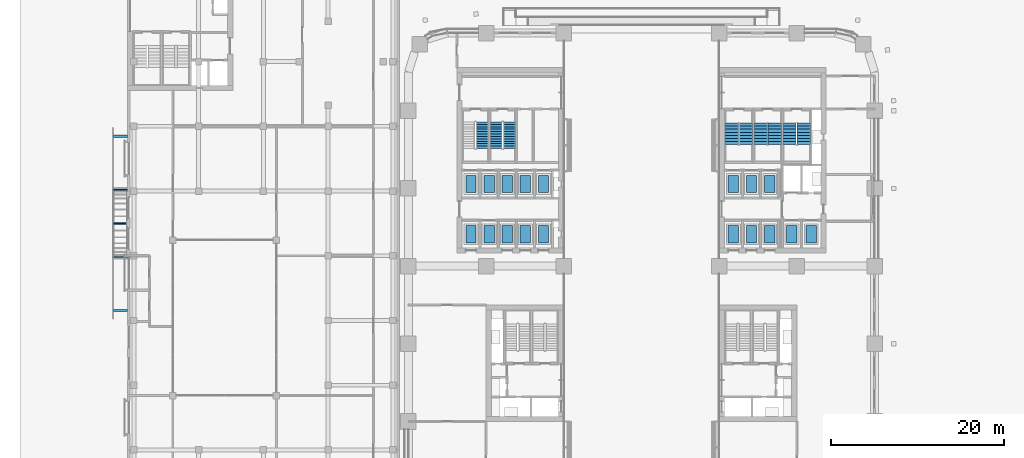
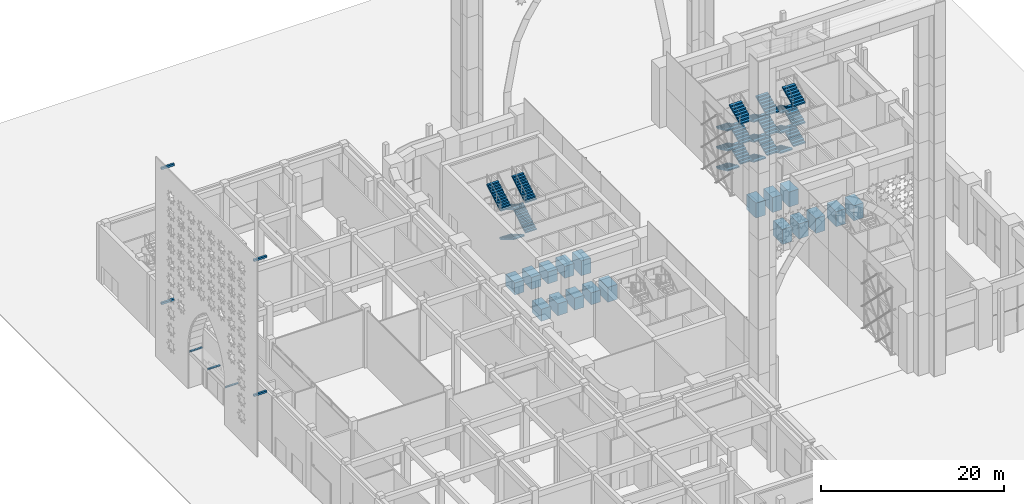
# One storey, part 40 of 64: 25 discrete accessories, 23 stair flights, 5 elements without a shape of their own.
"""IFC4 building model written with IfcOpenShell, lengths in metres."""

from ifc_helpers import new_model, si_unit, direction, frame, origin, origin_2d, place, context, subcontext, project, spatial, polyline, rectangle, outline, extrude, material, type_object, element, aggregate, save


model = new_model("IFC4")

# Units and contexts
model_context = context("Model", 3, precision=1e-05, world=origin(), true_north=direction((0.0, 1.0)))
body_context = subcontext(model_context, "Body", "Model", "MODEL_VIEW")
ifc_project = project(units=[si_unit("LENGTHUNIT", "METRE"), si_unit("AREAUNIT", "SQUARE_METRE"), si_unit("VOLUMEUNIT", "CUBIC_METRE"), si_unit("PLANEANGLEUNIT", "RADIAN"), si_unit("MASSUNIT", "GRAM", prefix="KILO")], contexts=[model_context])

# Site, building, storey
site_placement = place(None, origin())
site = spatial("IfcSite", under=ifc_project, at=site_placement, CompositionType="ELEMENT")
building_placement = place(site_placement, origin())
building = spatial("IfcBuilding", under=site, at=building_placement, Name="Tessera Arch", CompositionType="ELEMENT")
storey_placement = place(building_placement, origin())
storey = spatial("IfcBuildingStorey", under=building, at=storey_placement, Name="L00", CompositionType="ELEMENT", Elevation=0.0)

# Stair, stair flight
ifc_material_1 = material(Name="Concrete C40/50", Category="concrete")
stair_type_1 = type_object("IfcStairType", Name="Dogleg stair 1400", PredefinedType="HALF_TURN_STAIR", material=ifc_material_1)
stair_1_placement = place(storey_placement, origin())
stair_1 = element("IfcStair", 1, at=stair_1_placement, inside=storey, type_object=stair_type_1, Name="L00 S2a", PredefinedType="HALF_TURN_STAIR")
ifc_material_2 = material(Name="Concrete C40/50", Category="concrete")
stair_flight_type_1 = type_object("IfcStairFlightType", Name="Stair flight 1400", PredefinedType="STRAIGHT", material=ifc_material_2)
stair_flight_1_placement = place(storey_placement, frame((8.550048828125, 40.6201171875, 6.0), z_axis=(0.0, 0.0, 1.0), x_axis=(0.0, 1.0, 0.0)))
stair_flight_1 = element("IfcStairFlight", 2, at=stair_flight_1_placement, type_object=stair_flight_type_1, Name="S2a flight 4", NumberOfRisers=12, NumberOfTreads=11, PredefinedType="STRAIGHT", RiserHeight=0.166666667, TreadLength=0.28, context=body_context, shape_type="SweptSolid", body=[
    extrude(outline(polyline([(0.0, 0.0), (0.0, 0.166748046875), (0.280029296875, 0.166748046875), (0.280029296875, 0.333251953125), (0.56005859375, 0.333251953125), (0.56005859375, 0.5), (0.840087890625, 0.5), (0.840087890625, 0.666748046875), (1.1201171875, 0.666748046875), (1.1201171875, 0.833251953125), (1.39990234375, 0.833251953125), (1.39990234375, 1.0), (1.679931640625, 1.0), (1.679931640625, 1.166748046875), (1.9599609375, 1.166748046875), (1.9599609375, 1.333251953125), (2.239990234375, 1.333251953125), (2.239990234375, 1.5), (2.52001953125, 1.5), (2.52001953125, 1.666748046875), (2.800048828125, 1.666748046875), (2.800048828125, 1.833251953125), (3.080078125, 1.833251953125), (3.080078125, 2.0), (3.080078125, 1.658935546875), (0.29296875, 0.0), (0.0, 0.0)])), frame((0.0, 0.699951171875, 0.0), z_axis=(0.0, -1.0, 0.0), x_axis=(1.0, 0.0, 0.0)), (0.0, 0.0, 1.0), 1.39990234375),
])
aggregate(stair_1, [stair_flight_1])

# Stair, stair flights
stair_2_placement = place(storey_placement, origin())
stair_2 = element("IfcStair", 3, at=stair_2_placement, inside=storey, type_object=stair_type_1, Name="L00 S2b", PredefinedType="HALF_TURN_STAIR")
stair_flight_2_placement = place(storey_placement, frame((10.14990234375, 43.699951171875, 0.0), z_axis=(0.0, 0.0, 1.0), x_axis=(0.0, -1.0, 0.0)))
stair_flight_2 = element("IfcStairFlight", 4, at=stair_flight_2_placement, type_object=stair_flight_type_1, Name="S2b flight 1", NumberOfRisers=12, NumberOfTreads=11, PredefinedType="STRAIGHT", RiserHeight=0.166666667, TreadLength=0.28, context=body_context, shape_type="SweptSolid", body=[
    extrude(outline(polyline([(0.0, 0.0), (0.0, 0.166748046875), (0.280029296875, 0.166748046875), (0.280029296875, 0.333251953125), (0.56005859375, 0.333251953125), (0.56005859375, 0.5), (0.840087890625, 0.5), (0.840087890625, 0.666748046875), (1.1201171875, 0.666748046875), (1.1201171875, 0.833251953125), (1.39990234375, 0.833251953125), (1.39990234375, 1.0), (1.679931640625, 1.0), (1.679931640625, 1.166748046875), (1.9599609375, 1.166748046875), (1.9599609375, 1.333251953125), (2.239990234375, 1.333251953125), (2.239990234375, 1.5), (2.52001953125, 1.5), (2.52001953125, 1.666748046875), (2.800048828125, 1.666748046875), (2.800048828125, 1.833251953125), (3.080078125, 1.833251953125), (3.080078125, 2.0), (3.080078125, 1.658935546875), (0.29296875, 0.0), (0.0, 0.0)])), frame((0.0, 0.699951171875, 0.0), z_axis=(0.0, -1.0, 0.0), x_axis=(1.0, 0.0, 0.0)), (0.0, 0.0, 1.0), 1.39990234375),
])
stair_flight_3_placement = place(storey_placement, frame((11.699951171875, 40.6201171875, 2.0), z_axis=(0.0, 0.0, 1.0), x_axis=(0.0, 1.0, 0.0)))
stair_flight_3 = element("IfcStairFlight", 5, at=stair_flight_3_placement, type_object=stair_flight_type_1, Name="S2b flight 2", NumberOfRisers=12, NumberOfTreads=11, PredefinedType="STRAIGHT", RiserHeight=0.166666667, TreadLength=0.28, context=body_context, shape_type="SweptSolid", body=[
    extrude(outline(polyline([(0.0, 0.0), (0.0, 0.166748046875), (0.280029296875, 0.166748046875), (0.280029296875, 0.333251953125), (0.56005859375, 0.333251953125), (0.56005859375, 0.5), (0.840087890625, 0.5), (0.840087890625, 0.666748046875), (1.1201171875, 0.666748046875), (1.1201171875, 0.833251953125), (1.39990234375, 0.833251953125), (1.39990234375, 1.0), (1.679931640625, 1.0), (1.679931640625, 1.166748046875), (1.9599609375, 1.166748046875), (1.9599609375, 1.333251953125), (2.239990234375, 1.333251953125), (2.239990234375, 1.5), (2.52001953125, 1.5), (2.52001953125, 1.666748046875), (2.800048828125, 1.666748046875), (2.800048828125, 1.833251953125), (3.080078125, 1.833251953125), (3.080078125, 2.0), (3.080078125, 1.658935546875), (0.29296875, 0.0), (0.0, 0.0)])), frame((0.0, 0.699951171875, 0.0), z_axis=(0.0, -1.0, 0.0), x_axis=(1.0, 0.0, 0.0)), (0.0, 0.0, 1.0), 1.39990234375),
])
stair_flight_4_placement = place(storey_placement, frame((10.14990234375, 43.699951171875, 4.0), z_axis=(0.0, 0.0, 1.0), x_axis=(0.0, -1.0, 0.0)))
stair_flight_4 = element("IfcStairFlight", 6, at=stair_flight_4_placement, type_object=stair_flight_type_1, Name="S2b flight 3", NumberOfRisers=12, NumberOfTreads=11, PredefinedType="STRAIGHT", RiserHeight=0.166666667, TreadLength=0.28, context=body_context, shape_type="SweptSolid", body=[
    extrude(outline(polyline([(0.0, 0.0), (0.0, 0.166748046875), (0.280029296875, 0.166748046875), (0.280029296875, 0.333251953125), (0.56005859375, 0.333251953125), (0.56005859375, 0.5), (0.840087890625, 0.5), (0.840087890625, 0.666748046875), (1.1201171875, 0.666748046875), (1.1201171875, 0.833251953125), (1.39990234375, 0.833251953125), (1.39990234375, 1.0), (1.679931640625, 1.0), (1.679931640625, 1.166748046875), (1.9599609375, 1.166748046875), (1.9599609375, 1.333251953125), (2.239990234375, 1.333251953125), (2.239990234375, 1.5), (2.52001953125, 1.5), (2.52001953125, 1.666748046875), (2.800048828125, 1.666748046875), (2.800048828125, 1.833251953125), (3.080078125, 1.833251953125), (3.080078125, 2.0), (3.080078125, 1.658935546875), (0.29296875, 0.0), (0.0, 0.0)])), frame((0.0, 0.699951171875, 0.0), z_axis=(0.0, -1.0, 0.0), x_axis=(1.0, 0.0, 0.0)), (0.0, 0.0, 1.0), 1.39990234375),
])
stair_flight_5_placement = place(storey_placement, frame((11.699951171875, 40.6201171875, 6.0), z_axis=(0.0, 0.0, 1.0), x_axis=(0.0, 1.0, 0.0)))
stair_flight_5 = element("IfcStairFlight", 7, at=stair_flight_5_placement, type_object=stair_flight_type_1, Name="S2b flight 4", NumberOfRisers=12, NumberOfTreads=11, PredefinedType="STRAIGHT", RiserHeight=0.166666667, TreadLength=0.28, context=body_context, shape_type="SweptSolid", body=[
    extrude(outline(polyline([(0.0, 0.0), (0.0, 0.166748046875), (0.280029296875, 0.166748046875), (0.280029296875, 0.333251953125), (0.56005859375, 0.333251953125), (0.56005859375, 0.5), (0.840087890625, 0.5), (0.840087890625, 0.666748046875), (1.1201171875, 0.666748046875), (1.1201171875, 0.833251953125), (1.39990234375, 0.833251953125), (1.39990234375, 1.0), (1.679931640625, 1.0), (1.679931640625, 1.166748046875), (1.9599609375, 1.166748046875), (1.9599609375, 1.333251953125), (2.239990234375, 1.333251953125), (2.239990234375, 1.5), (2.52001953125, 1.5), (2.52001953125, 1.666748046875), (2.800048828125, 1.666748046875), (2.800048828125, 1.833251953125), (3.080078125, 1.833251953125), (3.080078125, 2.0), (3.080078125, 1.658935546875), (0.29296875, 0.0), (0.0, 0.0)])), frame((0.0, 0.699951171875, 0.0), z_axis=(0.0, -1.0, 0.0), x_axis=(1.0, 0.0, 0.0)), (0.0, 0.0, 1.0), 1.39990234375),
])
aggregate(stair_2, [stair_flight_2, stair_flight_3, stair_flight_4, stair_flight_5])

ifc_material_3 = material(Name="Concrete C40/50", Category="concrete")
stair_type_2 = type_object("IfcStairType", Name="Dogleg stair 1520", PredefinedType="HALF_TURN_STAIR", material=ifc_material_3)
stair_3_placement = place(storey_placement, origin())
stair_3 = element("IfcStair", 8, at=stair_3_placement, inside=storey, type_object=stair_type_2, Name="L00 S1a", PredefinedType="HALF_TURN_STAIR")
ifc_material_4 = material(Name="Concrete C40/50", Category="concrete")
stair_flight_type_2 = type_object("IfcStairFlightType", Name="Stair flight 1520", PredefinedType="STRAIGHT", material=ifc_material_4)
stair_flight_6_placement = place(storey_placement, frame((37.4599609375, 43.580078125, 0.0), z_axis=(0.0, 0.0, 1.0), x_axis=(0.0, -1.0, 0.0)))
stair_flight_6 = element("IfcStairFlight", 9, at=stair_flight_6_placement, type_object=stair_flight_type_2, Name="S1a flight 1", NumberOfRisers=8, NumberOfTreads=7, PredefinedType="STRAIGHT", RiserHeight=0.166666667, TreadLength=0.36, context=body_context, shape_type="SweptSolid", body=[
    extrude(outline(polyline([(0.0, 0.0), (0.0, 0.166748046875), (0.360107421875, 0.166748046875), (0.360107421875, 0.333251953125), (0.719970703125, 0.333251953125), (0.719970703125, 0.5), (1.080078125, 0.5), (1.080078125, 0.666748046875), (1.43994140625, 0.666748046875), (1.43994140625, 0.833251953125), (1.800048828125, 0.833251953125), (1.800048828125, 1.0), (2.159912109375, 1.0), (2.159912109375, 1.166748046875), (2.52001953125, 1.166748046875), (2.52001953125, 1.333251953125), (2.52001953125, 1.00146484375), (0.356689453125, 0.0), (0.0, 0.0)])), frame((0.0, 0.760009765625, 0.0), z_axis=(0.0, -1.0, 0.0), x_axis=(1.0, 0.0, 0.0)), (0.0, 0.0, 1.0), 1.52001953125),
])
stair_flight_7_placement = place(storey_placement, frame((39.090087890625, 41.06005859375, 1.333251953125), z_axis=(0.0, 0.0, 1.0), x_axis=(0.0, 1.0, 0.0)))
stair_flight_7 = element("IfcStairFlight", 10, at=stair_flight_7_placement, type_object=stair_flight_type_2, Name="S1a flight 2", NumberOfRisers=8, NumberOfTreads=7, PredefinedType="STRAIGHT", RiserHeight=0.166666667, TreadLength=0.36, context=body_context, shape_type="SweptSolid", body=[
    extrude(outline(polyline([(0.0, 0.0), (0.0, 0.166748046875), (0.360107421875, 0.166748046875), (0.360107421875, 0.333251953125), (0.719970703125, 0.333251953125), (0.719970703125, 0.5), (1.080078125, 0.5), (1.080078125, 0.666748046875), (1.43994140625, 0.666748046875), (1.43994140625, 0.833251953125), (1.800048828125, 0.833251953125), (1.800048828125, 1.0), (2.159912109375, 1.0), (2.159912109375, 1.166748046875), (2.52001953125, 1.166748046875), (2.52001953125, 1.333251953125), (2.52001953125, 1.00146484375), (0.356689453125, 0.0), (0.0, 0.0)])), frame((0.0, 0.760009765625, 0.0), z_axis=(0.0, -1.0, 0.0), x_axis=(1.0, 0.0, 0.0)), (0.0, 0.0, 1.0), 1.52001953125),
])
stair_flight_8_placement = place(storey_placement, frame((37.4599609375, 43.580078125, 2.666748046875), z_axis=(0.0, 0.0, 1.0), x_axis=(0.0, -1.0, 0.0)))
stair_flight_8 = element("IfcStairFlight", 11, at=stair_flight_8_placement, type_object=stair_flight_type_2, Name="S1a flight 3", NumberOfRisers=8, NumberOfTreads=7, PredefinedType="STRAIGHT", RiserHeight=0.166666667, TreadLength=0.36, context=body_context, shape_type="SweptSolid", body=[
    extrude(outline(polyline([(0.0, 0.0), (0.0, 0.166748046875), (0.360107421875, 0.166748046875), (0.360107421875, 0.333251953125), (0.719970703125, 0.333251953125), (0.719970703125, 0.5), (1.080078125, 0.5), (1.080078125, 0.666748046875), (1.43994140625, 0.666748046875), (1.43994140625, 0.833251953125), (1.800048828125, 0.833251953125), (1.800048828125, 1.0), (2.159912109375, 1.0), (2.159912109375, 1.166748046875), (2.52001953125, 1.166748046875), (2.52001953125, 1.333251953125), (2.52001953125, 1.00146484375), (0.356689453125, 0.0), (0.0, 0.0)])), frame((0.0, 0.760009765625, 0.0), z_axis=(0.0, -1.0, 0.0), x_axis=(1.0, 0.0, 0.0)), (0.0, 0.0, 1.0), 1.52001953125),
])
stair_flight_9_placement = place(storey_placement, frame((39.090087890625, 41.06005859375, 4.0), z_axis=(0.0, 0.0, 1.0), x_axis=(0.0, 1.0, 0.0)))
stair_flight_9 = element("IfcStairFlight", 12, at=stair_flight_9_placement, type_object=stair_flight_type_2, Name="S1a flight 4", NumberOfRisers=8, NumberOfTreads=7, PredefinedType="STRAIGHT", RiserHeight=0.166666667, TreadLength=0.36, context=body_context, shape_type="SweptSolid", body=[
    extrude(outline(polyline([(0.0, 0.0), (0.0, 0.166748046875), (0.360107421875, 0.166748046875), (0.360107421875, 0.333251953125), (0.719970703125, 0.333251953125), (0.719970703125, 0.5), (1.080078125, 0.5), (1.080078125, 0.666748046875), (1.43994140625, 0.666748046875), (1.43994140625, 0.833251953125), (1.800048828125, 0.833251953125), (1.800048828125, 1.0), (2.159912109375, 1.0), (2.159912109375, 1.166748046875), (2.52001953125, 1.166748046875), (2.52001953125, 1.333251953125), (2.52001953125, 1.00146484375), (0.356689453125, 0.0), (0.0, 0.0)])), frame((0.0, 0.760009765625, 0.0), z_axis=(0.0, -1.0, 0.0), x_axis=(1.0, 0.0, 0.0)), (0.0, 0.0, 1.0), 1.52001953125),
])
stair_flight_10_placement = place(storey_placement, frame((37.4599609375, 43.580078125, 5.333251953125), z_axis=(0.0, 0.0, 1.0), x_axis=(0.0, -1.0, 0.0)))
stair_flight_10 = element("IfcStairFlight", 13, at=stair_flight_10_placement, type_object=stair_flight_type_2, Name="S1a flight 5", NumberOfRisers=8, NumberOfTreads=7, PredefinedType="STRAIGHT", RiserHeight=0.166666667, TreadLength=0.36, context=body_context, shape_type="SweptSolid", body=[
    extrude(outline(polyline([(0.0, 0.0), (0.0, 0.166748046875), (0.360107421875, 0.166748046875), (0.360107421875, 0.333251953125), (0.719970703125, 0.333251953125), (0.719970703125, 0.5), (1.080078125, 0.5), (1.080078125, 0.666748046875), (1.43994140625, 0.666748046875), (1.43994140625, 0.833251953125), (1.800048828125, 0.833251953125), (1.800048828125, 1.0), (2.159912109375, 1.0), (2.159912109375, 1.166748046875), (2.52001953125, 1.166748046875), (2.52001953125, 1.333251953125), (2.52001953125, 1.00146484375), (0.356689453125, 0.0), (0.0, 0.0)])), frame((0.0, 0.760009765625, 0.0), z_axis=(0.0, -1.0, 0.0), x_axis=(1.0, 0.0, 0.0)), (0.0, 0.0, 1.0), 1.52001953125),
])
stair_flight_11_placement = place(storey_placement, frame((39.090087890625, 41.06005859375, 6.666748046875), z_axis=(0.0, 0.0, 1.0), x_axis=(0.0, 1.0, 0.0)))
stair_flight_11 = element("IfcStairFlight", 14, at=stair_flight_11_placement, type_object=stair_flight_type_2, Name="S1a flight 6", NumberOfRisers=8, NumberOfTreads=7, PredefinedType="STRAIGHT", RiserHeight=0.166666667, TreadLength=0.36, context=body_context, shape_type="SweptSolid", body=[
    extrude(outline(polyline([(0.0, 0.0), (0.0, 0.166748046875), (0.360107421875, 0.166748046875), (0.360107421875, 0.333251953125), (0.719970703125, 0.333251953125), (0.719970703125, 0.5), (1.080078125, 0.5), (1.080078125, 0.666748046875), (1.43994140625, 0.666748046875), (1.43994140625, 0.833251953125), (1.800048828125, 0.833251953125), (1.800048828125, 1.0), (2.159912109375, 1.0), (2.159912109375, 1.166748046875), (2.52001953125, 1.166748046875), (2.52001953125, 1.333251953125), (2.52001953125, 1.00146484375), (0.356689453125, 0.0), (0.0, 0.0)])), frame((0.0, 0.760009765625, 0.0), z_axis=(0.0, -1.0, 0.0), x_axis=(1.0, 0.0, 0.0)), (0.0, 0.0, 1.0), 1.52001953125),
])
aggregate(stair_3, [stair_flight_6, stair_flight_7, stair_flight_8, stair_flight_9, stair_flight_10, stair_flight_11])

stair_4_placement = place(storey_placement, origin())
stair_4 = element("IfcStair", 15, at=stair_4_placement, inside=storey, type_object=stair_type_2, Name="L00 S1b", PredefinedType="HALF_TURN_STAIR")
stair_flight_12_placement = place(storey_placement, frame((40.81005859375, 43.580078125, 0.0), z_axis=(0.0, 0.0, 1.0), x_axis=(0.0, -1.0, 0.0)))
stair_flight_12 = element("IfcStairFlight", 16, at=stair_flight_12_placement, type_object=stair_flight_type_2, Name="S1b flight 1", NumberOfRisers=8, NumberOfTreads=7, PredefinedType="STRAIGHT", RiserHeight=0.166666667, TreadLength=0.36, context=body_context, shape_type="SweptSolid", body=[
    extrude(outline(polyline([(0.0, 0.0), (0.0, 0.166748046875), (0.360107421875, 0.166748046875), (0.360107421875, 0.333251953125), (0.719970703125, 0.333251953125), (0.719970703125, 0.5), (1.080078125, 0.5), (1.080078125, 0.666748046875), (1.43994140625, 0.666748046875), (1.43994140625, 0.833251953125), (1.800048828125, 0.833251953125), (1.800048828125, 1.0), (2.159912109375, 1.0), (2.159912109375, 1.166748046875), (2.52001953125, 1.166748046875), (2.52001953125, 1.333251953125), (2.52001953125, 1.00146484375), (0.356689453125, 0.0), (0.0, 0.0)])), frame((0.0, 0.760009765625, 0.0), z_axis=(0.0, -1.0, 0.0), x_axis=(1.0, 0.0, 0.0)), (0.0, 0.0, 1.0), 1.52001953125),
])
stair_flight_13_placement = place(storey_placement, frame((42.43994140625, 41.06005859375, 1.333251953125), z_axis=(0.0, 0.0, 1.0), x_axis=(0.0, 1.0, 0.0)))
stair_flight_13 = element("IfcStairFlight", 17, at=stair_flight_13_placement, type_object=stair_flight_type_2, Name="S1b flight 2", NumberOfRisers=8, NumberOfTreads=7, PredefinedType="STRAIGHT", RiserHeight=0.166666667, TreadLength=0.36, context=body_context, shape_type="SweptSolid", body=[
    extrude(outline(polyline([(0.0, 0.0), (0.0, 0.166748046875), (0.360107421875, 0.166748046875), (0.360107421875, 0.333251953125), (0.719970703125, 0.333251953125), (0.719970703125, 0.5), (1.080078125, 0.5), (1.080078125, 0.666748046875), (1.43994140625, 0.666748046875), (1.43994140625, 0.833251953125), (1.800048828125, 0.833251953125), (1.800048828125, 1.0), (2.159912109375, 1.0), (2.159912109375, 1.166748046875), (2.52001953125, 1.166748046875), (2.52001953125, 1.333251953125), (2.52001953125, 1.00146484375), (0.356689453125, 0.0), (0.0, 0.0)])), frame((0.0, 0.760009765625, 0.0), z_axis=(0.0, -1.0, 0.0), x_axis=(1.0, 0.0, 0.0)), (0.0, 0.0, 1.0), 1.52001953125),
])
stair_flight_14_placement = place(storey_placement, frame((40.81005859375, 43.580078125, 2.666748046875), z_axis=(0.0, 0.0, 1.0), x_axis=(0.0, -1.0, 0.0)))
stair_flight_14 = element("IfcStairFlight", 18, at=stair_flight_14_placement, type_object=stair_flight_type_2, Name="S1b flight 3", NumberOfRisers=8, NumberOfTreads=7, PredefinedType="STRAIGHT", RiserHeight=0.166666667, TreadLength=0.36, context=body_context, shape_type="SweptSolid", body=[
    extrude(outline(polyline([(0.0, 0.0), (0.0, 0.166748046875), (0.360107421875, 0.166748046875), (0.360107421875, 0.333251953125), (0.719970703125, 0.333251953125), (0.719970703125, 0.5), (1.080078125, 0.5), (1.080078125, 0.666748046875), (1.43994140625, 0.666748046875), (1.43994140625, 0.833251953125), (1.800048828125, 0.833251953125), (1.800048828125, 1.0), (2.159912109375, 1.0), (2.159912109375, 1.166748046875), (2.52001953125, 1.166748046875), (2.52001953125, 1.333251953125), (2.52001953125, 1.00146484375), (0.356689453125, 0.0), (0.0, 0.0)])), frame((0.0, 0.760009765625, 0.0), z_axis=(0.0, -1.0, 0.0), x_axis=(1.0, 0.0, 0.0)), (0.0, 0.0, 1.0), 1.52001953125),
])
stair_flight_15_placement = place(storey_placement, frame((42.43994140625, 41.06005859375, 4.0), z_axis=(0.0, 0.0, 1.0), x_axis=(0.0, 1.0, 0.0)))
stair_flight_15 = element("IfcStairFlight", 19, at=stair_flight_15_placement, type_object=stair_flight_type_2, Name="S1b flight 4", NumberOfRisers=8, NumberOfTreads=7, PredefinedType="STRAIGHT", RiserHeight=0.166666667, TreadLength=0.36, context=body_context, shape_type="SweptSolid", body=[
    extrude(outline(polyline([(0.0, 0.0), (0.0, 0.166748046875), (0.360107421875, 0.166748046875), (0.360107421875, 0.333251953125), (0.719970703125, 0.333251953125), (0.719970703125, 0.5), (1.080078125, 0.5), (1.080078125, 0.666748046875), (1.43994140625, 0.666748046875), (1.43994140625, 0.833251953125), (1.800048828125, 0.833251953125), (1.800048828125, 1.0), (2.159912109375, 1.0), (2.159912109375, 1.166748046875), (2.52001953125, 1.166748046875), (2.52001953125, 1.333251953125), (2.52001953125, 1.00146484375), (0.356689453125, 0.0), (0.0, 0.0)])), frame((0.0, 0.760009765625, 0.0), z_axis=(0.0, -1.0, 0.0), x_axis=(1.0, 0.0, 0.0)), (0.0, 0.0, 1.0), 1.52001953125),
])
stair_flight_16_placement = place(storey_placement, frame((40.81005859375, 43.580078125, 5.333251953125), z_axis=(0.0, 0.0, 1.0), x_axis=(0.0, -1.0, 0.0)))
stair_flight_16 = element("IfcStairFlight", 20, at=stair_flight_16_placement, type_object=stair_flight_type_2, Name="S1b flight 5", NumberOfRisers=8, NumberOfTreads=7, PredefinedType="STRAIGHT", RiserHeight=0.166666667, TreadLength=0.36, context=body_context, shape_type="SweptSolid", body=[
    extrude(outline(polyline([(0.0, 0.0), (0.0, 0.166748046875), (0.360107421875, 0.166748046875), (0.360107421875, 0.333251953125), (0.719970703125, 0.333251953125), (0.719970703125, 0.5), (1.080078125, 0.5), (1.080078125, 0.666748046875), (1.43994140625, 0.666748046875), (1.43994140625, 0.833251953125), (1.800048828125, 0.833251953125), (1.800048828125, 1.0), (2.159912109375, 1.0), (2.159912109375, 1.166748046875), (2.52001953125, 1.166748046875), (2.52001953125, 1.333251953125), (2.52001953125, 1.00146484375), (0.356689453125, 0.0), (0.0, 0.0)])), frame((0.0, 0.760009765625, 0.0), z_axis=(0.0, -1.0, 0.0), x_axis=(1.0, 0.0, 0.0)), (0.0, 0.0, 1.0), 1.52001953125),
])
stair_flight_17_placement = place(storey_placement, frame((42.43994140625, 41.06005859375, 6.666748046875), z_axis=(0.0, 0.0, 1.0), x_axis=(0.0, 1.0, 0.0)))
stair_flight_17 = element("IfcStairFlight", 21, at=stair_flight_17_placement, type_object=stair_flight_type_2, Name="S1b flight 6", NumberOfRisers=8, NumberOfTreads=7, PredefinedType="STRAIGHT", RiserHeight=0.166666667, TreadLength=0.36, context=body_context, shape_type="SweptSolid", body=[
    extrude(outline(polyline([(0.0, 0.0), (0.0, 0.166748046875), (0.360107421875, 0.166748046875), (0.360107421875, 0.333251953125), (0.719970703125, 0.333251953125), (0.719970703125, 0.5), (1.080078125, 0.5), (1.080078125, 0.666748046875), (1.43994140625, 0.666748046875), (1.43994140625, 0.833251953125), (1.800048828125, 0.833251953125), (1.800048828125, 1.0), (2.159912109375, 1.0), (2.159912109375, 1.166748046875), (2.52001953125, 1.166748046875), (2.52001953125, 1.333251953125), (2.52001953125, 1.00146484375), (0.356689453125, 0.0), (0.0, 0.0)])), frame((0.0, 0.760009765625, 0.0), z_axis=(0.0, -1.0, 0.0), x_axis=(1.0, 0.0, 0.0)), (0.0, 0.0, 1.0), 1.52001953125),
])
aggregate(stair_4, [stair_flight_12, stair_flight_13, stair_flight_14, stair_flight_15, stair_flight_16, stair_flight_17])

stair_5_placement = place(storey_placement, origin())
stair_5 = element("IfcStair", 22, at=stair_5_placement, inside=storey, type_object=stair_type_2, Name="L00 S1c", PredefinedType="HALF_TURN_STAIR")
stair_flight_18_placement = place(storey_placement, frame((44.159912109375, 43.580078125, 0.0), z_axis=(0.0, 0.0, 1.0), x_axis=(0.0, -1.0, 0.0)))
stair_flight_18 = element("IfcStairFlight", 23, at=stair_flight_18_placement, type_object=stair_flight_type_2, Name="S1c flight 1", NumberOfRisers=8, NumberOfTreads=7, PredefinedType="STRAIGHT", RiserHeight=0.166666667, TreadLength=0.36, context=body_context, shape_type="SweptSolid", body=[
    extrude(outline(polyline([(0.0, 0.0), (0.0, 0.166748046875), (0.360107421875, 0.166748046875), (0.360107421875, 0.333251953125), (0.719970703125, 0.333251953125), (0.719970703125, 0.5), (1.080078125, 0.5), (1.080078125, 0.666748046875), (1.43994140625, 0.666748046875), (1.43994140625, 0.833251953125), (1.800048828125, 0.833251953125), (1.800048828125, 1.0), (2.159912109375, 1.0), (2.159912109375, 1.166748046875), (2.52001953125, 1.166748046875), (2.52001953125, 1.333251953125), (2.52001953125, 1.00146484375), (0.356689453125, 0.0), (0.0, 0.0)])), frame((0.0, 0.760009765625, 0.0), z_axis=(0.0, -1.0, 0.0), x_axis=(1.0, 0.0, 0.0)), (0.0, 0.0, 1.0), 1.52001953125),
])
stair_flight_19_placement = place(storey_placement, frame((45.7900390625, 41.06005859375, 1.333251953125), z_axis=(0.0, 0.0, 1.0), x_axis=(0.0, 1.0, 0.0)))
stair_flight_19 = element("IfcStairFlight", 24, at=stair_flight_19_placement, type_object=stair_flight_type_2, Name="S1c flight 2", NumberOfRisers=8, NumberOfTreads=7, PredefinedType="STRAIGHT", RiserHeight=0.166666667, TreadLength=0.36, context=body_context, shape_type="SweptSolid", body=[
    extrude(outline(polyline([(0.0, 0.0), (0.0, 0.166748046875), (0.360107421875, 0.166748046875), (0.360107421875, 0.333251953125), (0.719970703125, 0.333251953125), (0.719970703125, 0.5), (1.080078125, 0.5), (1.080078125, 0.666748046875), (1.43994140625, 0.666748046875), (1.43994140625, 0.833251953125), (1.800048828125, 0.833251953125), (1.800048828125, 1.0), (2.159912109375, 1.0), (2.159912109375, 1.166748046875), (2.52001953125, 1.166748046875), (2.52001953125, 1.333251953125), (2.52001953125, 1.00146484375), (0.356689453125, 0.0), (0.0, 0.0)])), frame((0.0, 0.760009765625, 0.0), z_axis=(0.0, -1.0, 0.0), x_axis=(1.0, 0.0, 0.0)), (0.0, 0.0, 1.0), 1.52001953125),
])
stair_flight_20_placement = place(storey_placement, frame((44.159912109375, 43.580078125, 2.666748046875), z_axis=(0.0, 0.0, 1.0), x_axis=(0.0, -1.0, 0.0)))
stair_flight_20 = element("IfcStairFlight", 25, at=stair_flight_20_placement, type_object=stair_flight_type_2, Name="S1c flight 3", NumberOfRisers=8, NumberOfTreads=7, PredefinedType="STRAIGHT", RiserHeight=0.166666667, TreadLength=0.36, context=body_context, shape_type="SweptSolid", body=[
    extrude(outline(polyline([(0.0, 0.0), (0.0, 0.166748046875), (0.360107421875, 0.166748046875), (0.360107421875, 0.333251953125), (0.719970703125, 0.333251953125), (0.719970703125, 0.5), (1.080078125, 0.5), (1.080078125, 0.666748046875), (1.43994140625, 0.666748046875), (1.43994140625, 0.833251953125), (1.800048828125, 0.833251953125), (1.800048828125, 1.0), (2.159912109375, 1.0), (2.159912109375, 1.166748046875), (2.52001953125, 1.166748046875), (2.52001953125, 1.333251953125), (2.52001953125, 1.00146484375), (0.356689453125, 0.0), (0.0, 0.0)])), frame((0.0, 0.760009765625, 0.0), z_axis=(0.0, -1.0, 0.0), x_axis=(1.0, 0.0, 0.0)), (0.0, 0.0, 1.0), 1.52001953125),
])
stair_flight_21_placement = place(storey_placement, frame((45.7900390625, 41.06005859375, 4.0), z_axis=(0.0, 0.0, 1.0), x_axis=(0.0, 1.0, 0.0)))
stair_flight_21 = element("IfcStairFlight", 26, at=stair_flight_21_placement, type_object=stair_flight_type_2, Name="S1c flight 4", NumberOfRisers=8, NumberOfTreads=7, PredefinedType="STRAIGHT", RiserHeight=0.166666667, TreadLength=0.36, context=body_context, shape_type="SweptSolid", body=[
    extrude(outline(polyline([(0.0, 0.0), (0.0, 0.166748046875), (0.360107421875, 0.166748046875), (0.360107421875, 0.333251953125), (0.719970703125, 0.333251953125), (0.719970703125, 0.5), (1.080078125, 0.5), (1.080078125, 0.666748046875), (1.43994140625, 0.666748046875), (1.43994140625, 0.833251953125), (1.800048828125, 0.833251953125), (1.800048828125, 1.0), (2.159912109375, 1.0), (2.159912109375, 1.166748046875), (2.52001953125, 1.166748046875), (2.52001953125, 1.333251953125), (2.52001953125, 1.00146484375), (0.356689453125, 0.0), (0.0, 0.0)])), frame((0.0, 0.760009765625, 0.0), z_axis=(0.0, -1.0, 0.0), x_axis=(1.0, 0.0, 0.0)), (0.0, 0.0, 1.0), 1.52001953125),
])
stair_flight_22_placement = place(storey_placement, frame((44.159912109375, 43.580078125, 5.333251953125), z_axis=(0.0, 0.0, 1.0), x_axis=(0.0, -1.0, 0.0)))
stair_flight_22 = element("IfcStairFlight", 27, at=stair_flight_22_placement, type_object=stair_flight_type_2, Name="S1c flight 5", NumberOfRisers=8, NumberOfTreads=7, PredefinedType="STRAIGHT", RiserHeight=0.166666667, TreadLength=0.36, context=body_context, shape_type="SweptSolid", body=[
    extrude(outline(polyline([(0.0, 0.0), (0.0, 0.166748046875), (0.360107421875, 0.166748046875), (0.360107421875, 0.333251953125), (0.719970703125, 0.333251953125), (0.719970703125, 0.5), (1.080078125, 0.5), (1.080078125, 0.666748046875), (1.43994140625, 0.666748046875), (1.43994140625, 0.833251953125), (1.800048828125, 0.833251953125), (1.800048828125, 1.0), (2.159912109375, 1.0), (2.159912109375, 1.166748046875), (2.52001953125, 1.166748046875), (2.52001953125, 1.333251953125), (2.52001953125, 1.00146484375), (0.356689453125, 0.0), (0.0, 0.0)])), frame((0.0, 0.760009765625, 0.0), z_axis=(0.0, -1.0, 0.0), x_axis=(1.0, 0.0, 0.0)), (0.0, 0.0, 1.0), 1.52001953125),
])
stair_flight_23_placement = place(storey_placement, frame((45.7900390625, 41.06005859375, 6.666748046875), z_axis=(0.0, 0.0, 1.0), x_axis=(0.0, 1.0, 0.0)))
stair_flight_23 = element("IfcStairFlight", 28, at=stair_flight_23_placement, type_object=stair_flight_type_2, Name="S1c flight 6", NumberOfRisers=8, NumberOfTreads=7, PredefinedType="STRAIGHT", RiserHeight=0.166666667, TreadLength=0.36, context=body_context, shape_type="SweptSolid", body=[
    extrude(outline(polyline([(0.0, 0.0), (0.0, 0.166748046875), (0.360107421875, 0.166748046875), (0.360107421875, 0.333251953125), (0.719970703125, 0.333251953125), (0.719970703125, 0.5), (1.080078125, 0.5), (1.080078125, 0.666748046875), (1.43994140625, 0.666748046875), (1.43994140625, 0.833251953125), (1.800048828125, 0.833251953125), (1.800048828125, 1.0), (2.159912109375, 1.0), (2.159912109375, 1.166748046875), (2.52001953125, 1.166748046875), (2.52001953125, 1.333251953125), (2.52001953125, 1.00146484375), (0.356689453125, 0.0), (0.0, 0.0)])), frame((0.0, 0.760009765625, 0.0), z_axis=(0.0, -1.0, 0.0), x_axis=(1.0, 0.0, 0.0)), (0.0, 0.0, 1.0), 1.52001953125),
])
aggregate(stair_5, [stair_flight_18, stair_flight_19, stair_flight_20, stair_flight_21, stair_flight_22, stair_flight_23])

# Discrete accessories
for number, where, z_axis, x_axis, name in (
    (29, (-33.35009765625, 42.050048828125, 7.47509765625), (0.0, 0.0, 1.0), (-1.0, 0.0, 0.0), "Iwan frame bracket"),
    (30, (-33.35009765625, 21.85009765625, 7.47509765625), (0.0, 0.0, 1.0), (-1.0, 0.0, 0.0), "Iwan frame bracket"),
    (31, (-33.35009765625, 42.050048828125, 25.47509765625), (0.0, 0.0, 1.0), (-1.0, 0.0, 0.0), "Iwan frame bracket"),
    (32, (-33.35009765625, 21.85009765625, 25.47509765625), (0.0, 0.0, 1.0), (-1.0, 0.0, 0.0), "Iwan frame bracket"),
):
    element("IfcDiscreteAccessory", number, at=place(storey_placement, frame(where, z_axis=z_axis, x_axis=x_axis)), inside=storey, Name=name, PredefinedType="BRACKET", context=body_context, shape_type="SweptSolid", body=[
        extrude(rectangle(XDim=1.60009765625, YDim=0.25, at=origin_2d()), origin(), (0.0, 0.0, 1.0), 0.25),
    ])
for number, where, z_axis, x_axis, name in (
    (33, (-33.35009765625, 28.02490234375, 4.85009765625), (0.0, 0.0, 1.0), (1.0, 0.0, 0.0), "Canopy bracket"),
    (34, (-33.35009765625, 31.949951171875, 4.85009765625), (0.0, 0.0, 1.0), (1.0, 0.0, 0.0), "Canopy bracket"),
    (35, (-33.35009765625, 35.875, 4.85009765625), (0.0, 0.0, 1.0), (1.0, 0.0, 0.0), "Canopy bracket"),
):
    element("IfcDiscreteAccessory", number, at=place(storey_placement, frame(where, z_axis=z_axis, x_axis=x_axis)), inside=storey, Name=name, PredefinedType="BRACKET", context=body_context, shape_type="SweptSolid", body=[
        extrude(rectangle(XDim=1.60009765625, YDim=0.14990234375, at=origin_2d()), origin(), (0.0, 0.0, 1.0), 0.14990234375),
    ])
for number, where, z_axis, x_axis, name in (
    (36, (44.425048828125, 30.699951171875, -2.0), (0.0, 0.0, 1.0), (1.0, 0.0, 0.0), "FF1 car buffer stand"),
    (37, (46.675048828125, 30.699951171875, -2.0), (0.0, 0.0, 1.0), (1.0, 0.0, 0.0), "FF2 car buffer stand"),
    (38, (37.64990234375, 30.699951171875, -2.0), (0.0, 0.0, 1.0), (1.0, 0.0, 0.0), "HR1 car buffer stand"),
    (39, (39.75, 30.699951171875, -2.0), (0.0, 0.0, 1.0), (1.0, 0.0, 0.0), "HR2 car buffer stand"),
    (40, (41.85009765625, 30.699951171875, -2.0), (0.0, 0.0, 1.0), (1.0, 0.0, 0.0), "HR3 car buffer stand"),
    (41, (37.64990234375, 36.5, -2.0), (0.0, 0.0, 1.0), (1.0, 0.0, 0.0), "HR4 car buffer stand"),
    (42, (39.75, 36.5, -2.0), (0.0, 0.0, 1.0), (1.0, 0.0, 0.0), "HR5 car buffer stand"),
    (43, (41.85009765625, 36.5, -2.0), (0.0, 0.0, 1.0), (1.0, 0.0, 0.0), "HR6 car buffer stand"),
    (44, (15.64990234375, 30.699951171875, -2.0), (0.0, 0.0, 1.0), (1.0, 0.0, 0.0), "HR7 car buffer stand"),
    (45, (15.64990234375, 36.5, -2.0), (0.0, 0.0, 1.0), (1.0, 0.0, 0.0), "HR8 car buffer stand"),
):
    element("IfcDiscreteAccessory", number, at=place(storey_placement, frame(where, z_axis=z_axis, x_axis=x_axis)), inside=storey, Name=name, PredefinedType="BRACKET", context=body_context, shape_type="SweptSolid", body=[
        extrude(rectangle(XDim=1.199951171875, YDim=2.0, at=origin_2d()), origin(), (0.0, 0.0, 1.0), 2.0),
    ])
for number, where, z_axis, x_axis, name in (
    (46, (7.25, 30.699951171875, -1.60009765625), (0.0, 0.0, 1.0), (1.0, 0.0, 0.0), "LR1 car buffer stand"),
    (47, (9.35009765625, 30.699951171875, -1.60009765625), (0.0, 0.0, 1.0), (1.0, 0.0, 0.0), "LR2 car buffer stand"),
    (48, (11.449951171875, 30.699951171875, -1.60009765625), (0.0, 0.0, 1.0), (1.0, 0.0, 0.0), "LR3 car buffer stand"),
    (49, (13.550048828125, 30.699951171875, -1.60009765625), (0.0, 0.0, 1.0), (1.0, 0.0, 0.0), "LR4 car buffer stand"),
    (50, (7.25, 36.5, -1.60009765625), (0.0, 0.0, 1.0), (1.0, 0.0, 0.0), "LR5 car buffer stand"),
    (51, (9.35009765625, 36.5, -1.60009765625), (0.0, 0.0, 1.0), (1.0, 0.0, 0.0), "LR6 car buffer stand"),
    (52, (11.449951171875, 36.5, -1.60009765625), (0.0, 0.0, 1.0), (1.0, 0.0, 0.0), "LR7 car buffer stand"),
    (53, (13.550048828125, 36.5, -1.60009765625), (0.0, 0.0, 1.0), (1.0, 0.0, 0.0), "LR8 car buffer stand"),
):
    element("IfcDiscreteAccessory", number, at=place(storey_placement, frame(where, z_axis=z_axis, x_axis=x_axis)), inside=storey, Name=name, PredefinedType="BRACKET", context=body_context, shape_type="SweptSolid", body=[
        extrude(rectangle(XDim=1.199951171875, YDim=2.0, at=origin_2d()), origin(), (0.0, 0.0, 1.0), 1.60009765625),
    ])

save(model, "model.ifc")
